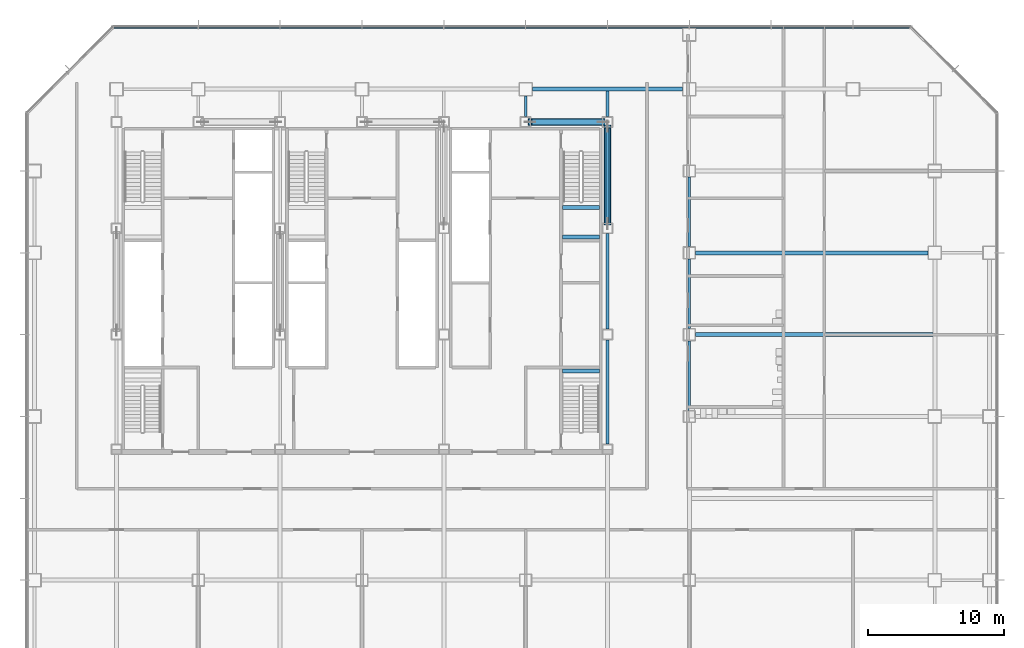
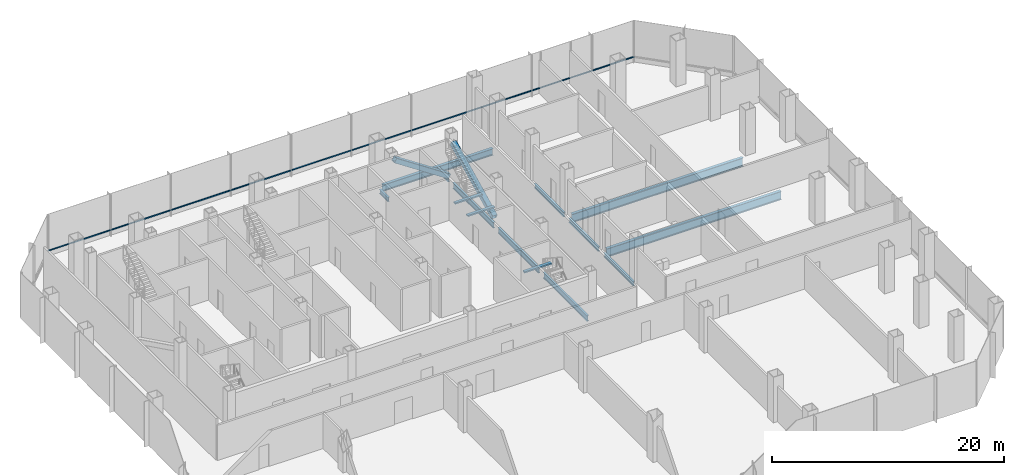
# One storey, part 15 of 33: 14 beams, 3 members, 1 element without a shape of its own.
"""IFC4 building model written with IfcOpenShell, lengths in metres."""

from ifc_helpers import new_model, si_unit, direction, frame, origin, origin_2d, place, context, subcontext, project, spatial, rectangle, hollow_rectangle, i_section, extrude, material, material_profile, profile_set, type_object, element, aggregate, save


model = new_model("IFC4")

# Units and contexts
model_context = context("Model", 3, precision=1e-05, world=origin(), true_north=direction((0.0, 1.0)))
body_context = subcontext(model_context, "Body", "Model", "MODEL_VIEW")
ifc_project = project(units=[si_unit("LENGTHUNIT", "METRE"), si_unit("AREAUNIT", "SQUARE_METRE"), si_unit("VOLUMEUNIT", "CUBIC_METRE"), si_unit("PLANEANGLEUNIT", "RADIAN"), si_unit("MASSUNIT", "GRAM", prefix="KILO")], contexts=[model_context])

# Site, building, storey
site_placement = place(None, origin())
site = spatial("IfcSite", under=ifc_project, at=site_placement, CompositionType="ELEMENT")
building_placement = place(site_placement, origin())
building = spatial("IfcBuilding", under=site, at=building_placement, Name="Sorahane Residences", CompositionType="ELEMENT")
storey_placement = place(building_placement, frame((0.0, 0.0, 34.800048828125)))
storey = spatial("IfcBuildingStorey", under=building, at=storey_placement, Name="L05", CompositionType="ELEMENT", Elevation=34.800048828125)

# Members
ifc_material_1 = material(Name="Steel Q355B", Category="steel")
ifc_material_profile_1 = material_profile(ifc_material_1, hollow_rectangle(XDim=0.5, YDim=0.5, WallThickness=0.02490234375, InnerFilletRadius=0.012451171875, OuterFilletRadius=0.03759765625, at=origin_2d()), Name="RHS 500x500x25")
ifc_profile_set_1 = profile_set([ifc_material_profile_1], Name="Steel Q355B")
member_type_1 = type_object("IfcMemberType", Name="Core brace RHS 500x500x25 Q355B", PredefinedType="BRACE", material=ifc_profile_set_1)
member_1_placement = place(storey_placement, frame((41.682861328125, 45.60009765625, 0.19482421875), z_axis=(-0.833273178454, 0.0, 0.552861474575), x_axis=(0.0, -1.0, 0.0)))
element("IfcMember", 1, at=member_1_placement, inside=storey, type_object=member_type_1, Name="Core brace L05 y45.6-6", PredefinedType="BRACE", context=body_context, shape_type="SweptSolid", body=[
    extrude(hollow_rectangle(XDim=0.5, YDim=0.5, WallThickness=0.02490234375, InnerFilletRadius=0.012451171875, OuterFilletRadius=0.03759765625, at=origin_2d()), origin(), (0.0, 0.0, 1.0), 6.439453125),
])
member_2_placement = place(storey_placement, frame((42.0, 38.1337890625, 0.21728515625), z_axis=(0.0, 0.89697311716, 0.44208509033), x_axis=(-1.0, 0.0, 0.0)))
element("IfcMember", 2, at=member_2_placement, inside=storey, type_object=member_type_1, Name="Core brace L05 x42-3", PredefinedType="BRACE", context=body_context, shape_type="SweptSolid", body=[
    extrude(hollow_rectangle(XDim=0.5, YDim=0.5, WallThickness=0.02490234375, InnerFilletRadius=0.012451171875, OuterFilletRadius=0.03759765625, at=origin_2d()), origin(), (0.0, 0.0, 1.0), 7.951904296875),
])

# Curtain wall, member
ifc_material_2 = material(Name="Dark low-e glass and black anodised aluminium", Category="aluminium")
curtain_wall_type = type_object("IfcCurtainWallType", Name="Curtain wall CW-3 Podium unitised wall", PredefinedType="NOTDEFINED", material=ifc_material_2)
curtain_wall_placement = place(storey_placement, origin())
curtain_wall = element("IfcCurtainWall", 3, at=curtain_wall_placement, inside=storey, type_object=curtain_wall_type, Name="CW-3 curtain wall L05 N1", PredefinedType="NOTDEFINED")
ifc_material_3 = material(Name="Black anodised aluminium", Category="aluminium")
ifc_material_profile_2 = material_profile(ifc_material_3, rectangle(XDim=0.10009765625, YDim=0.06005859375, at=origin_2d()), Name="Curtain wall transom CW-3 black anodised aluminium 60x100")
ifc_profile_set_2 = profile_set([ifc_material_profile_2], Name="Black anodised aluminium")
member_type_2 = type_object("IfcMemberType", Name="Curtain wall transom CW-3 black anodised aluminium 60x100", PredefinedType="USERDEFINED", material=ifc_profile_set_2)
member_3_placement = place(storey_placement, frame((64.198486328125, 52.530029296875, 0.599853515625), z_axis=(-1.0, 0.0, 0.0), x_axis=(0.0, -1.0, 0.0)))
member_3 = element("IfcMember", 4, at=member_3_placement, type_object=member_type_2, Name="CW-3 transom L05 N1", ObjectType="TRANSOM", PredefinedType="USERDEFINED", context=body_context, shape_type="SweptSolid", body=[
    extrude(rectangle(XDim=0.10009765625, YDim=0.06005859375, at=origin_2d()), origin(), (0.0, 0.0, 1.0), 58.39697265625),
])
aggregate(curtain_wall, [member_3])

# Beams
ifc_material_4 = material(Name="Concrete C40", Category="concrete")
ifc_material_profile_3 = material_profile(ifc_material_4, rectangle(XDim=0.300048828125, YDim=0.139892578125, at=origin_2d()), Name="300x140")
ifc_profile_set_3 = profile_set([ifc_material_profile_3], Name="Concrete C40")
beam_type_1 = type_object("IfcBeamType", Name="RC landing beam 300 x 140 Concrete C40", PredefinedType="BEAM", material=ifc_profile_set_3)
for number, where, z_axis, x_axis, name in (
    (5, (38.699951171875, 37.14990234375, 2.1298828125), (1.0, 0.0, 0.0), (0.0, 1.0, 0.0), "Landing beam"),
    (6, (38.699951171875, 39.31005859375, 2.1298828125), (1.0, 0.0, 0.0), (0.0, 1.0, 0.0), "Landing beam"),
    (7, (38.699951171875, 27.35009765625, 2.1298828125), (1.0, 0.0, 0.0), (0.0, 1.0, 0.0), "Landing beam"),
):
    element("IfcBeam", number, at=place(storey_placement, frame(where, z_axis=z_axis, x_axis=x_axis)), inside=storey, type_object=beam_type_1, Name=name, PredefinedType="BEAM", context=body_context, shape_type="SweptSolid", body=[
        extrude(rectangle(XDim=0.300048828125, YDim=0.139892578125, at=origin_2d()), origin(), (0.0, 0.0, 1.0), 2.699951171875),
    ])
ifc_material_5 = material(Name="Steel Q355B", Category="steel")
ifc_material_profile_4 = material_profile(ifc_material_5, i_section(OverallWidth=0.199951171875, OverallDepth=0.449951171875, WebThickness=0.009033203125, FlangeThickness=0.013916015625, FilletRadius=0.02001953125, at=origin_2d()), Name="HN 450x200x9x14")
ifc_profile_set_4 = profile_set([ifc_material_profile_4], Name="Steel Q355B")
beam_type_2 = type_object("IfcBeamType", Name="Steel floor beam HN 450x200x9x14 Q355B", PredefinedType="BEAM", material=ifc_profile_set_4)
beam_1_placement = place(storey_placement, frame((36.0, 46.0, -0.625), z_axis=(0.0, 1.0, 0.0), x_axis=(-1.0, 0.0, 0.0)))
element("IfcBeam", 8, at=beam_1_placement, inside=storey, type_object=beam_type_2, Name="Beam L05 055", PredefinedType="BEAM", context=body_context, shape_type="SweptSolid", body=[
    extrude(i_section(OverallWidth=0.199951171875, OverallDepth=0.449951171875, WebThickness=0.009033203125, FlangeThickness=0.013916015625, FilletRadius=0.02001953125, at=origin_2d()), origin(), (0.0, 0.0, 1.0), 1.5),
])
beam_2_placement = place(storey_placement, frame((42.0, 46.0, -0.625), z_axis=(0.0, 1.0, 0.0), x_axis=(-1.0, 0.0, 0.0)))
element("IfcBeam", 9, at=beam_2_placement, inside=storey, type_object=beam_type_2, Name="Beam L05 061", PredefinedType="BEAM", context=body_context, shape_type="SweptSolid", body=[
    extrude(i_section(OverallWidth=0.199951171875, OverallDepth=0.449951171875, WebThickness=0.009033203125, FlangeThickness=0.013916015625, FilletRadius=0.02001953125, at=origin_2d()), origin(), (0.0, 0.0, 1.0), 1.85009765625),
])
for number, where, z_axis, x_axis, name in (
    (10, (48.0, 24.449951171875, -0.625), (0.0, 1.0, 0.0), (-1.0, 0.0, 0.0), "Beam L05 065"),
    (11, (48.0, 30.449951171875, -0.625), (0.0, 1.0, 0.0), (-1.0, 0.0, 0.0), "Beam L05 066"),
    (12, (48.0, 36.449951171875, -0.625), (0.0, 1.0, 0.0), (-1.0, 0.0, 0.0), "Beam L05 067"),
):
    element("IfcBeam", number, at=place(storey_placement, frame(where, z_axis=z_axis, x_axis=x_axis)), inside=storey, type_object=beam_type_2, Name=name, PredefinedType="BEAM", context=body_context, shape_type="SweptSolid", body=[
        extrude(i_section(OverallWidth=0.199951171875, OverallDepth=0.449951171875, WebThickness=0.009033203125, FlangeThickness=0.013916015625, FilletRadius=0.02001953125, at=origin_2d()), origin(), (0.0, 0.0, 1.0), 5.10009765625),
    ])
ifc_material_6 = material(Name="Steel Q355B", Category="steel")
ifc_material_profile_5 = material_profile(ifc_material_6, i_section(OverallWidth=0.199951171875, OverallDepth=0.60009765625, WebThickness=0.010986328125, FlangeThickness=0.01708984375, FilletRadius=0.02392578125, at=origin_2d()), Name="HN 600x200x11x17")
ifc_profile_set_5 = profile_set([ifc_material_profile_5], Name="Steel Q355B")
beam_type_3 = type_object("IfcBeamType", Name="Steel floor beam HN 600x200x11x17 Q355B", PredefinedType="BEAM", material=ifc_profile_set_5)
beam_3_placement = place(storey_placement, frame((42.0, 22.0, -0.699951171875), z_axis=(0.0, 1.0, 0.0), x_axis=(-1.0, 0.0, 0.0)))
element("IfcBeam", 13, at=beam_3_placement, inside=storey, type_object=beam_type_3, Name="Beam L05 058", PredefinedType="BEAM", context=body_context, shape_type="SweptSolid", body=[
    extrude(i_section(OverallWidth=0.199951171875, OverallDepth=0.60009765625, WebThickness=0.010986328125, FlangeThickness=0.01708984375, FilletRadius=0.02392578125, at=origin_2d()), origin(), (0.0, 0.0, 1.0), 7.60009765625),
])
for number, where, z_axis, x_axis, name in (
    (14, (42.0, 30.39990234375, -0.699951171875), (0.0, 1.0, 0.0), (-1.0, 0.0, 0.0), "Beam L05 059"),
    (15, (42.0, 38.199951171875, -0.699951171875), (0.0, 1.0, 0.0), (-1.0, 0.0, 0.0), "Beam L05 060"),
):
    element("IfcBeam", number, at=place(storey_placement, frame(where, z_axis=z_axis, x_axis=x_axis)), inside=storey, type_object=beam_type_3, Name=name, PredefinedType="BEAM", context=body_context, shape_type="SweptSolid", body=[
        extrude(i_section(OverallWidth=0.199951171875, OverallDepth=0.60009765625, WebThickness=0.010986328125, FlangeThickness=0.01708984375, FilletRadius=0.02392578125, at=origin_2d()), origin(), (0.0, 0.0, 1.0), 7.0),
    ])
ifc_material_7 = material(Name="Steel Q355B", Category="steel")
ifc_material_profile_6 = material_profile(ifc_material_7, i_section(OverallWidth=0.300048828125, OverallDepth=0.699951171875, WebThickness=0.012939453125, FlangeThickness=0.02392578125, FilletRadius=0.028076171875, at=origin_2d()), Name="HN 700x300x13x24")
ifc_profile_set_6 = profile_set([ifc_material_profile_6], Name="Steel Q355B")
beam_type_4 = type_object("IfcBeamType", Name="Steel floor beam HN 700x300x13x24 Q355B", PredefinedType="BEAM", material=ifc_profile_set_6)
beam_4_placement = place(storey_placement, frame((36.5, 48.0, -0.75), z_axis=(1.0, 0.0, 0.0), x_axis=(0.0, 1.0, 0.0)))
element("IfcBeam", 16, at=beam_4_placement, inside=storey, type_object=beam_type_4, Name="Beam L05 021", PredefinedType="BEAM", context=body_context, shape_type="SweptSolid", body=[
    extrude(i_section(OverallWidth=0.300048828125, OverallDepth=0.699951171875, WebThickness=0.012939453125, FlangeThickness=0.02392578125, FilletRadius=0.028076171875, at=origin_2d()), origin(), (0.0, 0.0, 1.0), 11.0),
])
ifc_material_8 = material(Name="Steel Q355B", Category="steel")
ifc_material_profile_7 = material_profile(ifc_material_8, i_section(OverallWidth=0.300048828125, OverallDepth=0.89990234375, WebThickness=0.01611328125, FlangeThickness=0.028076171875, FilletRadius=0.028076171875, at=origin_2d()), Name="HN 900x300x16x28")
ifc_profile_set_7 = profile_set([ifc_material_profile_7], Name="Steel Q355B")
beam_type_5 = type_object("IfcBeamType", Name="Steel floor beam HN 900x300x16x28 Q355B", PredefinedType="BEAM", material=ifc_profile_set_7)
beam_5_placement = place(storey_placement, frame((48.449951171875, 36.0, -0.85009765625), z_axis=(1.0, 0.0, 0.0), x_axis=(0.0, 1.0, 0.0)))
element("IfcBeam", 17, at=beam_5_placement, inside=storey, type_object=beam_type_5, Name="Beam L05 016", PredefinedType="BEAM", context=body_context, shape_type="SweptSolid", body=[
    extrude(i_section(OverallWidth=0.300048828125, OverallDepth=0.89990234375, WebThickness=0.01611328125, FlangeThickness=0.028076171875, FilletRadius=0.028076171875, at=origin_2d()), origin(), (0.0, 0.0, 1.0), 17.050048828125),
])
beam_6_placement = place(storey_placement, frame((48.4501953125, 30.0, -0.85009765625), z_axis=(1.0, 0.0, 0.0), x_axis=(0.0, 1.0, 0.0)))
element("IfcBeam", 18, at=beam_6_placement, inside=storey, type_object=beam_type_5, Name="Beam L05 085", PredefinedType="BEAM", context=body_context, shape_type="SweptSolid", body=[
    extrude(i_section(OverallWidth=0.300048828125, OverallDepth=0.89990234375, WebThickness=0.01611328125, FlangeThickness=0.028076171875, FilletRadius=0.028076171875, at=origin_2d()), origin(), (0.0, 0.0, 1.0), 17.399658203125),
])

save(model, "model.ifc")
